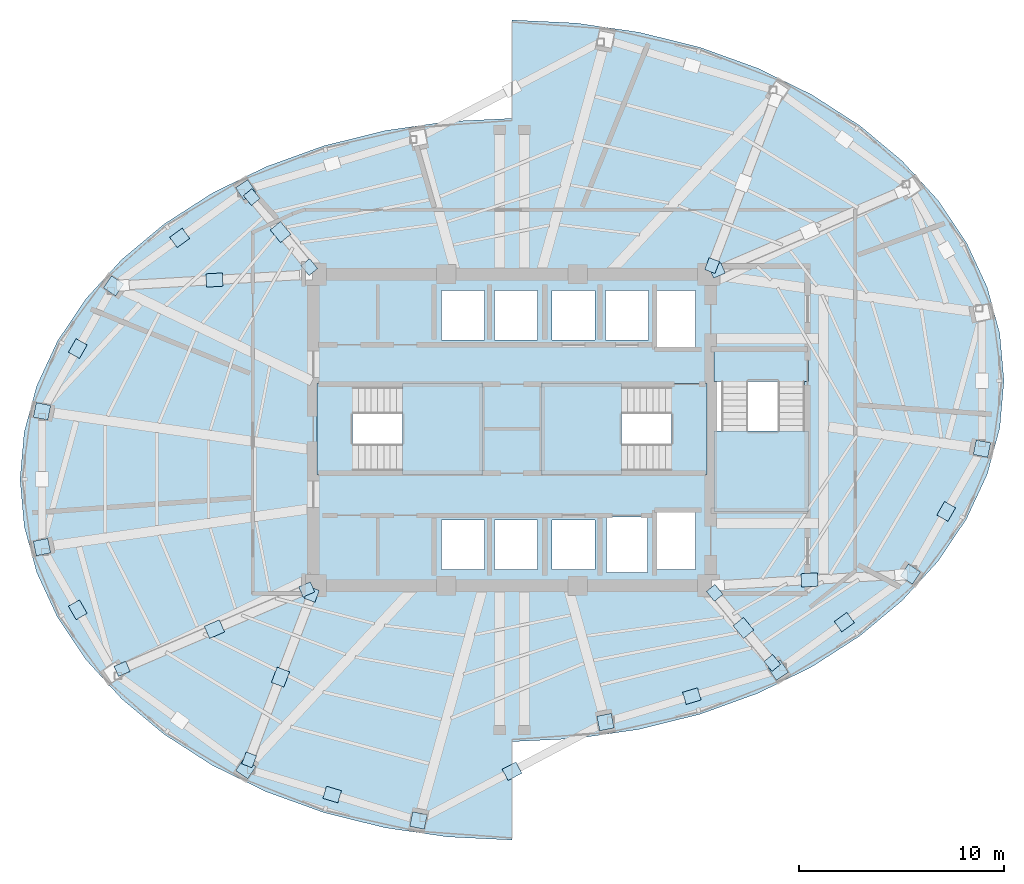
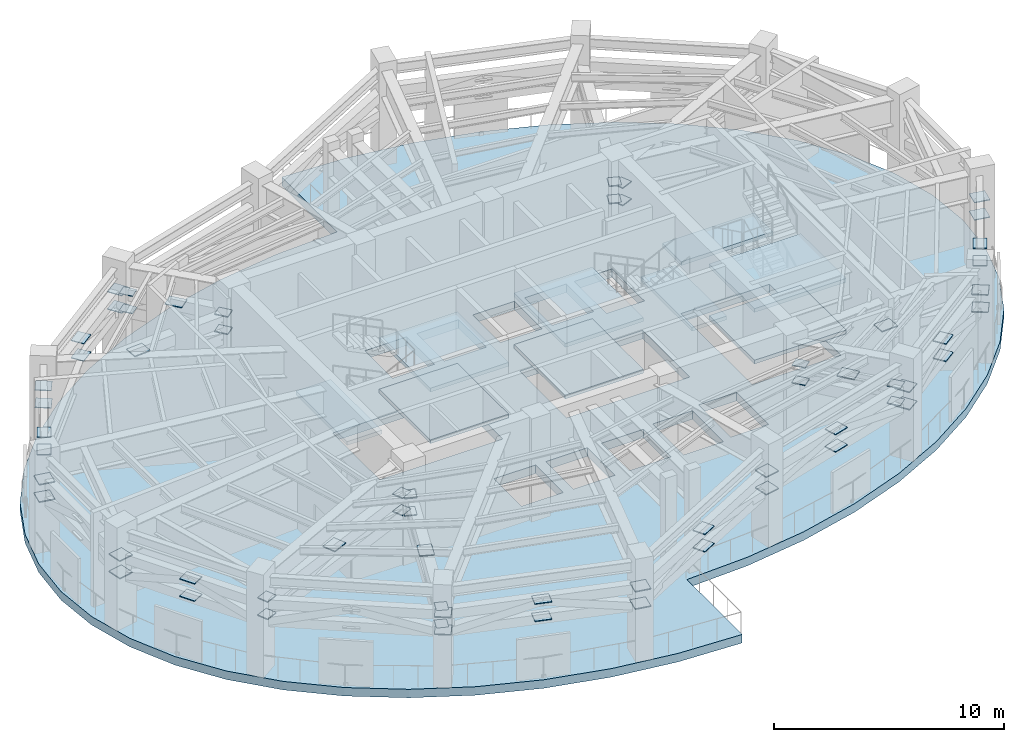
# One storey, part 6 of 12: 62 plates, 10 slabs, 3 elements without a shape of their own.
"""IFC4 building model written with IfcOpenShell, lengths in metres."""

from ifc_helpers import new_model, si_unit, direction, frame, origin, origin_2d, place, context, subcontext, project, spatial, polyline, rectangle, outline, extrude, material, layer, layer_set, type_object, element, aggregate, save


model = new_model("IFC4")

# Units and contexts
model_context = context("Model", 3, precision=1e-05, world=origin(), true_north=direction((0.0, 1.0)))
body_context = subcontext(model_context, "Body", "Model", "MODEL_VIEW")
ifc_project = project(units=[si_unit("LENGTHUNIT", "METRE"), si_unit("AREAUNIT", "SQUARE_METRE"), si_unit("VOLUMEUNIT", "CUBIC_METRE"), si_unit("PLANEANGLEUNIT", "RADIAN"), si_unit("MASSUNIT", "GRAM", prefix="KILO")], contexts=[model_context])

# Site, building, storey
site_placement = place(None, origin())
site = spatial("IfcSite", under=ifc_project, at=site_placement, CompositionType="ELEMENT")
building_placement = place(site_placement, origin())
building = spatial("IfcBuilding", under=site, at=building_placement, Name="Lazwardi Medical Tower", CompositionType="ELEMENT")
storey_placement = place(building_placement, frame((0.0, 0.0, 189.360107421875)))
storey = spatial("IfcBuildingStorey", under=building, at=storey_placement, Name="L49", CompositionType="ELEMENT", Elevation=189.360107421875)

# Plates
ifc_material_1 = material(Name="Steel S460", Category="steel")
ifc_layer_1 = layer(ifc_material_1, 0.0400390625)
ifc_layer_set_1 = layer_set([ifc_layer_1], Name="Steel S460")
plate_type = type_object("IfcPlateType", Name="PLT-GUS-01", PredefinedType="USERDEFINED", material=ifc_layer_set_1)
for number, where, z_axis, x_axis, name in (
    (1, (40.560302734375, 13.751220703125, 2.659912109375), (0.0, 0.0, 1.0), (0.195090322016, -0.980785280403, 0.0), "Belt truss column gusset plate GP-01 MB01 L49"),
    (2, (40.560302734375, 13.751220703125, 3.579833984375), (0.0, 0.0, 1.0), (0.195090322016, -0.980785280403, 0.0), "Belt truss column gusset plate GP-01 MT01 L49"),
):
    element("IfcPlate", number, at=place(storey_placement, frame(where, z_axis=z_axis, x_axis=x_axis)), inside=storey, type_object=plate_type, Name=name, ObjectType="GUSSET_PLATE", PredefinedType="USERDEFINED", context=body_context, shape_type="SweptSolid", body=[
        extrude(rectangle(XDim=0.719970703125, YDim=0.719970703125, at=origin_2d()), origin(), (0.0, 0.0, 1.0), 0.0400390625),
    ])
for number, where, z_axis, x_axis, name in (
    (3, (44.7734375, 15.0185546875, 3.579833984375), (0.0, 0.0, 1.0), (0.957621645958, 0.288029136015, 0.0), "Belt truss gusset plate GP-01 T01 L49"),
    (4, (44.7734375, 15.0185546875, 2.659912109375), (0.0, 0.0, 1.0), (0.957621645958, 0.288029136015, 0.0), "Belt truss gusset plate GP-01 B01 L49"),
):
    element("IfcPlate", number, at=place(storey_placement, frame(where, z_axis=z_axis, x_axis=x_axis)), inside=storey, type_object=plate_type, Name=name, ObjectType="GUSSET_PLATE", PredefinedType="USERDEFINED", context=body_context, shape_type="SweptSolid", body=[
        extrude(rectangle(XDim=0.760009765625, YDim=0.6201171875, at=origin_2d()), origin(), (0.0, 0.0, 1.0), 0.0400390625),
    ])
for number, where, z_axis, x_axis, name in (
    (5, (48.986572265625, 16.285888671875, 2.659912109375), (0.0, 0.0, 1.0), (0.55557023302, -0.831469612303, 0.0), "Belt truss column gusset plate GP-01 MB02 L49"),
    (6, (48.986572265625, 16.285888671875, 3.579833984375), (0.0, 0.0, 1.0), (0.55557023302, -0.831469612303, 0.0), "Belt truss column gusset plate GP-01 MT02 L49"),
):
    element("IfcPlate", number, at=place(storey_placement, frame(where, z_axis=z_axis, x_axis=x_axis)), inside=storey, type_object=plate_type, Name=name, ObjectType="GUSSET_PLATE", PredefinedType="USERDEFINED", context=body_context, shape_type="SweptSolid", body=[
        extrude(rectangle(XDim=0.719970703125, YDim=0.719970703125, at=origin_2d()), origin(), (0.0, 0.0, 1.0), 0.0400390625),
    ])
for number, where, z_axis, x_axis, name in (
    (7, (52.211181640625, 18.62744140625, 3.579833984375), (0.0, 0.0, 1.0), (0.809119569932, 0.587644043238, 0.0), "Belt truss gusset plate GP-01 T02 L49"),
    (8, (52.211181640625, 18.62744140625, 2.659912109375), (0.0, 0.0, 1.0), (0.809119569932, 0.587644043238, 0.0), "Belt truss gusset plate GP-01 B02 L49"),
):
    element("IfcPlate", number, at=place(storey_placement, frame(where, z_axis=z_axis, x_axis=x_axis)), inside=storey, type_object=plate_type, Name=name, ObjectType="GUSSET_PLATE", PredefinedType="USERDEFINED", context=body_context, shape_type="SweptSolid", body=[
        extrude(rectangle(XDim=0.760009765625, YDim=0.6201171875, at=origin_2d()), origin(), (0.0, 0.0, 1.0), 0.0400390625),
    ])
for number, where, z_axis, x_axis, name in (
    (9, (55.435546875, 20.96923828125, 2.659912109375), (0.0, 0.0, 1.0), (0.831469612303, -0.55557023302, 0.0), "Belt truss column gusset plate GP-01 MB03 L49"),
    (10, (55.435546875, 20.96923828125, 3.579833984375), (0.0, 0.0, 1.0), (0.831469612303, -0.55557023302, 0.0), "Belt truss column gusset plate GP-01 MT03 L49"),
):
    element("IfcPlate", number, at=place(storey_placement, frame(where, z_axis=z_axis, x_axis=x_axis)), inside=storey, type_object=plate_type, Name=name, ObjectType="GUSSET_PLATE", PredefinedType="USERDEFINED", context=body_context, shape_type="SweptSolid", body=[
        extrude(rectangle(XDim=0.719970703125, YDim=0.719970703125, at=origin_2d()), origin(), (0.0, 0.0, 1.0), 0.0400390625),
    ])
for number, where, z_axis, x_axis, name in (
    (11, (57.180908203125, 24.02880859375, 3.579833984375), (0.0, 0.0, 1.0), (0.495458668432, 0.868631514438, 0.0), "Belt truss gusset plate GP-01 T03 L49"),
    (12, (57.180908203125, 24.02880859375, 2.659912109375), (0.0, 0.0, 1.0), (0.495458668432, 0.868631514438, 0.0), "Belt truss gusset plate GP-01 B03 L49"),
):
    element("IfcPlate", number, at=place(storey_placement, frame(where, z_axis=z_axis, x_axis=x_axis)), inside=storey, type_object=plate_type, Name=name, ObjectType="GUSSET_PLATE", PredefinedType="USERDEFINED", context=body_context, shape_type="SweptSolid", body=[
        extrude(rectangle(XDim=0.760009765625, YDim=0.6201171875, at=origin_2d()), origin(), (0.0, 0.0, 1.0), 0.0400390625),
    ])
for number, where, z_axis, x_axis, name in (
    (13, (58.92578125, 27.08837890625, 2.659912109375), (0.0, 0.0, 1.0), (0.980785280403, -0.195090322016, 0.0), "Belt truss column gusset plate GP-01 MB04 L49"),
    (14, (58.92578125, 27.08837890625, 3.579833984375), (0.0, 0.0, 1.0), (0.980785280403, -0.195090322016, 0.0), "Belt truss column gusset plate GP-01 MT04 L49"),
    (15, (23.013427734375, 39.714111328125, 2.659912109375), (0.0, 0.0, 1.0), (-0.55557023302, 0.831469612303, 0.0), "Belt truss column gusset plate GP-01 MB10 L49"),
    (16, (23.013427734375, 39.714111328125, 3.579833984375), (0.0, 0.0, 1.0), (-0.55557023302, 0.831469612303, 0.0), "Belt truss column gusset plate GP-01 MT10 L49"),
):
    element("IfcPlate", number, at=place(storey_placement, frame(where, z_axis=z_axis, x_axis=x_axis)), inside=storey, type_object=plate_type, Name=name, ObjectType="GUSSET_PLATE", PredefinedType="USERDEFINED", context=body_context, shape_type="SweptSolid", body=[
        extrude(rectangle(XDim=0.719970703125, YDim=0.719970703125, at=origin_2d()), origin(), (0.0, 0.0, 1.0), 0.0400390625),
    ])
for number, where, z_axis, x_axis, name in (
    (17, (19.788818359375, 37.37255859375, 3.579833984375), (0.0, 0.0, 1.0), (-0.809119569932, -0.587644043238, 0.0), "Belt truss gusset plate GP-01 T10 L49"),
    (18, (19.788818359375, 37.37255859375, 2.659912109375), (0.0, 0.0, 1.0), (-0.809119569932, -0.587644043238, 0.0), "Belt truss gusset plate GP-01 B10 L49"),
):
    element("IfcPlate", number, at=place(storey_placement, frame(where, z_axis=z_axis, x_axis=x_axis)), inside=storey, type_object=plate_type, Name=name, ObjectType="GUSSET_PLATE", PredefinedType="USERDEFINED", context=body_context, shape_type="SweptSolid", body=[
        extrude(rectangle(XDim=0.760009765625, YDim=0.6201171875, at=origin_2d()), origin(), (0.0, 0.0, 1.0), 0.0400390625),
    ])
for number, where, z_axis, x_axis, name in (
    (19, (16.564453125, 35.03076171875, 2.659912109375), (0.0, 0.0, 1.0), (-0.831469612303, 0.55557023302, 0.0), "Belt truss column gusset plate GP-01 MB11 L49"),
    (20, (16.564453125, 35.03076171875, 3.579833984375), (0.0, 0.0, 1.0), (-0.831469612303, 0.55557023302, 0.0), "Belt truss column gusset plate GP-01 MT11 L49"),
):
    element("IfcPlate", number, at=place(storey_placement, frame(where, z_axis=z_axis, x_axis=x_axis)), inside=storey, type_object=plate_type, Name=name, ObjectType="GUSSET_PLATE", PredefinedType="USERDEFINED", context=body_context, shape_type="SweptSolid", body=[
        extrude(rectangle(XDim=0.719970703125, YDim=0.719970703125, at=origin_2d()), origin(), (0.0, 0.0, 1.0), 0.0400390625),
    ])
for number, where, z_axis, x_axis, name in (
    (21, (14.8193359375, 31.97119140625, 3.579833984375), (0.0, 0.0, 1.0), (-0.495458668432, -0.868631514438, 0.0), "Belt truss gusset plate GP-01 T11 L49"),
    (22, (14.8193359375, 31.97119140625, 2.659912109375), (0.0, 0.0, 1.0), (-0.495458668432, -0.868631514438, 0.0), "Belt truss gusset plate GP-01 B11 L49"),
):
    element("IfcPlate", number, at=place(storey_placement, frame(where, z_axis=z_axis, x_axis=x_axis)), inside=storey, type_object=plate_type, Name=name, ObjectType="GUSSET_PLATE", PredefinedType="USERDEFINED", context=body_context, shape_type="SweptSolid", body=[
        extrude(rectangle(XDim=0.760009765625, YDim=0.6201171875, at=origin_2d()), origin(), (0.0, 0.0, 1.0), 0.0400390625),
    ])
for number, where, z_axis, x_axis, name in (
    (23, (13.07421875, 28.91162109375, 2.659912109375), (0.0, 0.0, 1.0), (-0.980785280403, 0.195090322016, 0.0), "Belt truss column gusset plate GP-01 MB12 L49"),
    (24, (13.07421875, 28.91162109375, 3.579833984375), (0.0, 0.0, 1.0), (-0.980785280403, 0.195090322016, 0.0), "Belt truss column gusset plate GP-01 MT12 L49"),
    (25, (13.07421875, 22.288330078125, 2.659912109375), (0.0, 0.0, 1.0), (-0.980785280403, -0.195090322016, 0.0), "Belt truss column gusset plate GP-01 MB13 L49"),
    (26, (13.07421875, 22.288330078125, 3.579833984375), (0.0, 0.0, 1.0), (-0.980785280403, -0.195090322016, 0.0), "Belt truss column gusset plate GP-01 MT13 L49"),
):
    element("IfcPlate", number, at=place(storey_placement, frame(where, z_axis=z_axis, x_axis=x_axis)), inside=storey, type_object=plate_type, Name=name, ObjectType="GUSSET_PLATE", PredefinedType="USERDEFINED", context=body_context, shape_type="SweptSolid", body=[
        extrude(rectangle(XDim=0.719970703125, YDim=0.719970703125, at=origin_2d()), origin(), (0.0, 0.0, 1.0), 0.0400390625),
    ])
for number, where, z_axis, x_axis, name in (
    (27, (14.8193359375, 19.228759765625, 3.579833984375), (0.0, 0.0, 1.0), (0.495458668432, -0.868631514438, 0.0), "Belt truss gusset plate GP-01 T13 L49"),
    (28, (14.8193359375, 19.228759765625, 2.659912109375), (0.0, 0.0, 1.0), (0.495458668432, -0.868631514438, 0.0), "Belt truss gusset plate GP-01 B13 L49"),
):
    element("IfcPlate", number, at=place(storey_placement, frame(where, z_axis=z_axis, x_axis=x_axis)), inside=storey, type_object=plate_type, Name=name, ObjectType="GUSSET_PLATE", PredefinedType="USERDEFINED", context=body_context, shape_type="SweptSolid", body=[
        extrude(rectangle(XDim=0.760009765625, YDim=0.6201171875, at=origin_2d()), origin(), (0.0, 0.0, 1.0), 0.0400390625),
    ])
for number, where, z_axis, x_axis, name in (
    (29, (23.013427734375, 11.48583984375, 2.659912109375), (0.0, 0.0, 1.0), (-0.55557023302, -0.831469612303, 0.0), "Belt truss column gusset plate GP-01 MB15 L49"),
    (30, (23.013427734375, 11.48583984375, 3.579833984375), (0.0, 0.0, 1.0), (-0.55557023302, -0.831469612303, 0.0), "Belt truss column gusset plate GP-01 MT15 L49"),
):
    element("IfcPlate", number, at=place(storey_placement, frame(where, z_axis=z_axis, x_axis=x_axis)), inside=storey, type_object=plate_type, Name=name, ObjectType="GUSSET_PLATE", PredefinedType="USERDEFINED", context=body_context, shape_type="SweptSolid", body=[
        extrude(rectangle(XDim=0.719970703125, YDim=0.719970703125, at=origin_2d()), origin(), (0.0, 0.0, 1.0), 0.0400390625),
    ])
for number, where, z_axis, x_axis, name in (
    (31, (27.2265625, 10.218505859375, 3.579833984375), (0.0, 0.0, 1.0), (0.957621645958, -0.288029136015, 0.0), "Belt truss gusset plate GP-01 T15 L49"),
    (32, (27.2265625, 10.218505859375, 2.659912109375), (0.0, 0.0, 1.0), (0.957621645958, -0.288029136015, 0.0), "Belt truss gusset plate GP-01 B15 L49"),
):
    element("IfcPlate", number, at=place(storey_placement, frame(where, z_axis=z_axis, x_axis=x_axis)), inside=storey, type_object=plate_type, Name=name, ObjectType="GUSSET_PLATE", PredefinedType="USERDEFINED", context=body_context, shape_type="SweptSolid", body=[
        extrude(rectangle(XDim=0.760009765625, YDim=0.6201171875, at=origin_2d()), origin(), (0.0, 0.0, 1.0), 0.0400390625),
    ])
for number, where, z_axis, x_axis, name in (
    (33, (31.439697265625, 8.951171875, 2.659912109375), (0.0, 0.0, 1.0), (-0.195090322016, -0.980785280403, 0.0), "Belt truss column gusset plate GP-01 MB16 L49"),
    (34, (31.439697265625, 8.951171875, 3.579833984375), (0.0, 0.0, 1.0), (-0.195090322016, -0.980785280403, 0.0), "Belt truss column gusset plate GP-01 MT16 L49"),
):
    element("IfcPlate", number, at=place(storey_placement, frame(where, z_axis=z_axis, x_axis=x_axis)), inside=storey, type_object=plate_type, Name=name, ObjectType="GUSSET_PLATE", PredefinedType="USERDEFINED", context=body_context, shape_type="SweptSolid", body=[
        extrude(rectangle(XDim=0.719970703125, YDim=0.719970703125, at=origin_2d()), origin(), (0.0, 0.0, 1.0), 0.0400390625),
    ])
for number, where, z_axis, x_axis, name in (
    (35, (36.0, 11.351318359375, 3.579833984375), (0.0, 0.0, 1.0), (0.88490635892, 0.465768972714, 0.0), "Belt truss gusset plate GP-01 T16 L49"),
    (36, (36.0, 11.351318359375, 2.659912109375), (0.0, 0.0, 1.0), (0.88490635892, 0.465768972714, 0.0), "Belt truss gusset plate GP-01 B16 L49"),
):
    element("IfcPlate", number, at=place(storey_placement, frame(where, z_axis=z_axis, x_axis=x_axis)), inside=storey, type_object=plate_type, Name=name, ObjectType="GUSSET_PLATE", PredefinedType="USERDEFINED", context=body_context, shape_type="SweptSolid", body=[
        extrude(rectangle(XDim=0.760009765625, YDim=0.6201171875, at=origin_2d()), origin(), (0.0, 0.0, 1.0), 0.0400390625),
    ])
plate_1_placement = place(storey_placement, frame((21.484619140625, 18.28564453125, 3.579833984375), z_axis=(0.0, 0.0, 1.0), x_axis=(-0.918584396813, -0.395224880204, 0.0)))
element("IfcPlate", 37, at=plate_1_placement, inside=storey, type_object=plate_type, Name="Outrigger truss gusset plate GP-01 OR1 L49", ObjectType="GUSSET_PLATE", PredefinedType="USERDEFINED", context=body_context, shape_type="SweptSolid", body=[
    extrude(rectangle(XDim=0.800048828125, YDim=0.64990234375, at=origin_2d()), origin(), (0.0, 0.0, 1.0), 0.0400390625),
])
for number, where, z_axis, x_axis, name in (
    (38, (25.986572265625, 20.22216796875, 2.659912109375), (0.0, 0.0, 1.0), (-0.918584396813, -0.395224880204, 0.0), "Outrigger core gusset plate GP-01 OR1CB L49"),
    (39, (25.986572265625, 20.22216796875, 3.579833984375), (0.0, 0.0, 1.0), (-0.918584396813, -0.395224880204, 0.0), "Outrigger core gusset plate GP-01 OR1CT L49"),
    (40, (16.982421875, 16.34912109375, 2.659912109375), (0.0, 0.0, 1.0), (-0.918584396813, -0.395224880204, 0.0), "Outrigger perimeter gusset plate GP-01 OR1MB L49"),
    (41, (16.982421875, 16.34912109375, 3.579833984375), (0.0, 0.0, 1.0), (-0.918584396813, -0.395224880204, 0.0), "Outrigger perimeter gusset plate GP-01 OR1MT L49"),
):
    element("IfcPlate", number, at=place(storey_placement, frame(where, z_axis=z_axis, x_axis=x_axis)), inside=storey, type_object=plate_type, Name=name, ObjectType="GUSSET_PLATE", PredefinedType="USERDEFINED", context=body_context, shape_type="SweptSolid", body=[
        extrude(rectangle(XDim=0.6201171875, YDim=0.5400390625, at=origin_2d()), origin(), (0.0, 0.0, 1.0), 0.0400390625),
    ])
plate_2_placement = place(storey_placement, frame((24.707763671875, 15.9453125, 3.579833984375), z_axis=(0.0, 0.0, 1.0), x_axis=(-0.355106962408, -0.934825676396, 0.0)))
element("IfcPlate", 42, at=plate_2_placement, inside=storey, type_object=plate_type, Name="Outrigger truss gusset plate GP-01 OR2 L49", ObjectType="GUSSET_PLATE", PredefinedType="USERDEFINED", context=body_context, shape_type="SweptSolid", body=[
    extrude(rectangle(XDim=0.800048828125, YDim=0.64990234375, at=origin_2d()), origin(), (0.0, 0.0, 1.0), 0.0400390625),
])
for number, where, z_axis, x_axis, name in (
    (43, (26.240234375, 19.979248046875, 2.659912109375), (0.0, 0.0, 1.0), (-0.355106962408, -0.934825676396, 0.0), "Outrigger core gusset plate GP-01 OR2CB L49"),
    (44, (26.240234375, 19.979248046875, 3.579833984375), (0.0, 0.0, 1.0), (-0.355106962408, -0.934825676396, 0.0), "Outrigger core gusset plate GP-01 OR2CT L49"),
    (45, (23.175048828125, 11.9111328125, 2.659912109375), (0.0, 0.0, 1.0), (-0.355106962408, -0.934825676396, 0.0), "Outrigger perimeter gusset plate GP-01 OR2MB L49"),
    (46, (23.175048828125, 11.9111328125, 3.579833984375), (0.0, 0.0, 1.0), (-0.355106962408, -0.934825676396, 0.0), "Outrigger perimeter gusset plate GP-01 OR2MT L49"),
):
    element("IfcPlate", number, at=place(storey_placement, frame(where, z_axis=z_axis, x_axis=x_axis)), inside=storey, type_object=plate_type, Name=name, ObjectType="GUSSET_PLATE", PredefinedType="USERDEFINED", context=body_context, shape_type="SweptSolid", body=[
        extrude(rectangle(XDim=0.6201171875, YDim=0.5400390625, at=origin_2d()), origin(), (0.0, 0.0, 1.0), 0.0400390625),
    ])
plate_3_placement = place(storey_placement, frame((47.291748046875, 18.344970703125, 3.579833984375), z_axis=(0.0, 0.0, 1.0), x_axis=(0.63553936973, -0.772068461681, 0.0)))
element("IfcPlate", 47, at=plate_3_placement, inside=storey, type_object=plate_type, Name="Outrigger truss gusset plate GP-01 OR3 L49", ObjectType="GUSSET_PLATE", PredefinedType="USERDEFINED", context=body_context, shape_type="SweptSolid", body=[
    extrude(rectangle(XDim=0.800048828125, YDim=0.64990234375, at=origin_2d()), origin(), (0.0, 0.0, 1.0), 0.0400390625),
])
for number, where, z_axis, x_axis, name in (
    (48, (45.885986328125, 20.052490234375, 2.659912109375), (0.0, 0.0, 1.0), (0.63553936973, -0.772068461681, 0.0), "Outrigger core gusset plate GP-01 OR3CB L49"),
    (49, (45.885986328125, 20.052490234375, 3.579833984375), (0.0, 0.0, 1.0), (0.63553936973, -0.772068461681, 0.0), "Outrigger core gusset plate GP-01 OR3CT L49"),
    (50, (48.697265625, 16.63720703125, 2.659912109375), (0.0, 0.0, 1.0), (0.63553936973, -0.772068461681, 0.0), "Outrigger perimeter gusset plate GP-01 OR3MB L49"),
    (51, (48.697265625, 16.63720703125, 3.579833984375), (0.0, 0.0, 1.0), (0.63553936973, -0.772068461681, 0.0), "Outrigger perimeter gusset plate GP-01 OR3MT L49"),
):
    element("IfcPlate", number, at=place(storey_placement, frame(where, z_axis=z_axis, x_axis=x_axis)), inside=storey, type_object=plate_type, Name=name, ObjectType="GUSSET_PLATE", PredefinedType="USERDEFINED", context=body_context, shape_type="SweptSolid", body=[
        extrude(rectangle(XDim=0.6201171875, YDim=0.5400390625, at=origin_2d()), origin(), (0.0, 0.0, 1.0), 0.0400390625),
    ])
plate_4_placement = place(storey_placement, frame((50.515380859375, 20.684326171875, 3.601806640625), z_axis=(0.0, 0.0, 1.0), x_axis=(0.99833175459, 0.0577382696, 0.0)))
element("IfcPlate", 52, at=plate_4_placement, inside=storey, type_object=plate_type, Name="Outrigger truss gusset plate GP-01 OR4 L49", ObjectType="GUSSET_PLATE", PredefinedType="USERDEFINED", context=body_context, shape_type="SweptSolid", body=[
    extrude(rectangle(XDim=0.800048828125, YDim=0.64990234375, at=origin_2d()), origin(), (0.0, 0.0, 1.0), 0.0400390625),
])
for number, where, z_axis, x_axis, name in (
    (53, (46.013427734375, 35.77783203125, 2.659912109375), (0.0, 0.0, 1.0), (0.918584396813, 0.395224880204, 0.0), "Outrigger core gusset plate GP-01 OR5CB L49"),
    (54, (46.013427734375, 35.77783203125, 3.579833984375), (0.0, 0.0, 1.0), (0.918584396813, 0.395224880204, 0.0), "Outrigger core gusset plate GP-01 OR5CT L49"),
    (55, (45.759765625, 36.020751953125, 2.659912109375), (0.0, 0.0, 1.0), (0.355106962408, 0.934825676396, 0.0), "Outrigger core gusset plate GP-01 OR6CB L49"),
    (56, (45.759765625, 36.020751953125, 3.579833984375), (0.0, 0.0, 1.0), (0.355106962408, 0.934825676396, 0.0), "Outrigger core gusset plate GP-01 OR6CT L49"),
):
    element("IfcPlate", number, at=place(storey_placement, frame(where, z_axis=z_axis, x_axis=x_axis)), inside=storey, type_object=plate_type, Name=name, ObjectType="GUSSET_PLATE", PredefinedType="USERDEFINED", context=body_context, shape_type="SweptSolid", body=[
        extrude(rectangle(XDim=0.6201171875, YDim=0.5400390625, at=origin_2d()), origin(), (0.0, 0.0, 1.0), 0.0400390625),
    ])
plate_5_placement = place(storey_placement, frame((24.70849609375, 37.6552734375, 3.579833984375), z_axis=(0.0, 0.0, 1.0), x_axis=(-0.63553936973, 0.772068461681, 0.0)))
element("IfcPlate", 57, at=plate_5_placement, inside=storey, type_object=plate_type, Name="Outrigger truss gusset plate GP-01 OR7 L49", ObjectType="GUSSET_PLATE", PredefinedType="USERDEFINED", context=body_context, shape_type="SweptSolid", body=[
    extrude(rectangle(XDim=0.800048828125, YDim=0.64990234375, at=origin_2d()), origin(), (0.0, 0.0, 1.0), 0.0400390625),
])
for number, where, z_axis, x_axis, name in (
    (58, (26.114013671875, 35.947509765625, 2.659912109375), (0.0, 0.0, 1.0), (-0.63553936973, 0.772068461681, 0.0), "Outrigger core gusset plate GP-01 OR7CB L49"),
    (59, (26.114013671875, 35.947509765625, 3.579833984375), (0.0, 0.0, 1.0), (-0.63553936973, 0.772068461681, 0.0), "Outrigger core gusset plate GP-01 OR7CT L49"),
    (60, (23.302734375, 39.36279296875, 2.659912109375), (0.0, 0.0, 1.0), (-0.63553936973, 0.772068461681, 0.0), "Outrigger perimeter gusset plate GP-01 OR7MB L49"),
    (61, (23.302734375, 39.36279296875, 3.579833984375), (0.0, 0.0, 1.0), (-0.63553936973, 0.772068461681, 0.0), "Outrigger perimeter gusset plate GP-01 OR7MT L49"),
):
    element("IfcPlate", number, at=place(storey_placement, frame(where, z_axis=z_axis, x_axis=x_axis)), inside=storey, type_object=plate_type, Name=name, ObjectType="GUSSET_PLATE", PredefinedType="USERDEFINED", context=body_context, shape_type="SweptSolid", body=[
        extrude(rectangle(XDim=0.6201171875, YDim=0.5400390625, at=origin_2d()), origin(), (0.0, 0.0, 1.0), 0.0400390625),
    ])
plate_6_placement = place(storey_placement, frame((21.484619140625, 35.315673828125, 3.579833984375), z_axis=(0.0, 0.0, 1.0), x_axis=(-0.99833175459, -0.0577382696, 0.0)))
element("IfcPlate", 62, at=plate_6_placement, inside=storey, type_object=plate_type, Name="Outrigger truss gusset plate GP-01 OR8 L49", ObjectType="GUSSET_PLATE", PredefinedType="USERDEFINED", context=body_context, shape_type="SweptSolid", body=[
    extrude(rectangle(XDim=0.800048828125, YDim=0.64990234375, at=origin_2d()), origin(), (0.0, 0.0, 1.0), 0.0400390625),
])

# Stair, slabs
ifc_material_2 = material(Name="Concrete C45/55", Category="concrete")
stair_type = type_object("IfcStairType", Name="STR-REF", PredefinedType="HALF_TURN_STAIR", material=ifc_material_2)
stair_1_placement = place(storey_placement, origin())
stair_1 = element("IfcStair", 63, at=stair_1_placement, inside=storey, type_object=stair_type, Name="L49 Protected Exit Stair ST1", PredefinedType="HALF_TURN_STAIR")
ifc_layer_2 = layer(ifc_material_2, 0.199951171875)
ifc_layer_set_2 = layer_set([ifc_layer_2], Name="Concrete C45/55")
slab_type_1 = type_object("IfcSlabType", Name="SLB-LND-190", PredefinedType="LANDING", material=ifc_layer_set_2)
slab_1_placement = place(storey_placement, frame((0.0, 0.0, 1.16796875)))
slab_1 = element("IfcSlab", 64, at=slab_1_placement, type_object=slab_type_1, Name="ST1 landing 1", PredefinedType="LANDING", context=body_context, shape_type="SweptSolid", body=[
    extrude(outline(polyline([(30.655029296875, 25.840087890625), (34.580078125, 25.840087890625), (34.580078125, 30.280029296875), (30.655029296875, 30.280029296875), (30.655029296875, 25.840087890625)])), origin(), (0.0, 0.0, 1.0), 0.199951171875),
])
slab_2_placement = place(storey_placement, frame((0.0, 0.0, 2.535888671875)))
slab_2 = element("IfcSlab", 65, at=slab_2_placement, type_object=slab_type_1, Name="ST1 landing 2", PredefinedType="LANDING", context=body_context, shape_type="SweptSolid", body=[
    extrude(outline(polyline([(26.47998046875, 25.840087890625), (28.22509765625, 25.840087890625), (28.22509765625, 30.280029296875), (26.47998046875, 30.280029296875), (26.47998046875, 25.840087890625)])), origin(), (0.0, 0.0, 1.0), 0.199951171875),
])
slab_3_placement = place(storey_placement, frame((0.0, 0.0, 3.90380859375)))
slab_3 = element("IfcSlab", 66, at=slab_3_placement, type_object=slab_type_1, Name="ST1 landing 3", PredefinedType="LANDING", context=body_context, shape_type="SweptSolid", body=[
    extrude(outline(polyline([(30.655029296875, 25.840087890625), (34.580078125, 25.840087890625), (34.580078125, 30.280029296875), (30.655029296875, 30.280029296875), (30.655029296875, 25.840087890625)])), origin(), (0.0, 0.0, 1.0), 0.2001953125),
])
aggregate(stair_1, [slab_1, slab_2, slab_3])

stair_2_placement = place(storey_placement, origin())
stair_2 = element("IfcStair", 67, at=stair_2_placement, inside=storey, type_object=stair_type, Name="L49 Protected Exit Stair ST2", PredefinedType="HALF_TURN_STAIR")
slab_4_placement = place(storey_placement, frame((0.0, 0.0, 1.16796875)))
slab_4 = element("IfcSlab", 68, at=slab_4_placement, type_object=slab_type_1, Name="ST2 landing 1", PredefinedType="LANDING", context=body_context, shape_type="SweptSolid", body=[
    extrude(outline(polyline([(41.344970703125, 30.280029296875), (37.419921875, 30.280029296875), (37.419921875, 25.840087890625), (41.344970703125, 25.840087890625), (41.344970703125, 30.280029296875)])), origin(), (0.0, 0.0, 1.0), 0.199951171875),
])
slab_5_placement = place(storey_placement, frame((0.0, 0.0, 2.535888671875)))
slab_5 = element("IfcSlab", 69, at=slab_5_placement, type_object=slab_type_1, Name="ST2 landing 2", PredefinedType="LANDING", context=body_context, shape_type="SweptSolid", body=[
    extrude(outline(polyline([(45.52001953125, 30.280029296875), (43.77490234375, 30.280029296875), (43.77490234375, 25.840087890625), (45.52001953125, 25.840087890625), (45.52001953125, 30.280029296875)])), origin(), (0.0, 0.0, 1.0), 0.199951171875),
])
slab_6_placement = place(storey_placement, frame((0.0, 0.0, 3.90380859375)))
slab_6 = element("IfcSlab", 70, at=slab_6_placement, type_object=slab_type_1, Name="ST2 landing 3", PredefinedType="LANDING", context=body_context, shape_type="SweptSolid", body=[
    extrude(outline(polyline([(41.344970703125, 30.280029296875), (37.419921875, 30.280029296875), (37.419921875, 25.840087890625), (41.344970703125, 25.840087890625), (41.344970703125, 30.280029296875)])), origin(), (0.0, 0.0, 1.0), 0.2001953125),
])
aggregate(stair_2, [slab_4, slab_5, slab_6])

stair_3_placement = place(storey_placement, origin())
stair_3 = element("IfcStair", 71, at=stair_3_placement, inside=storey, type_object=stair_type, Name="L49 Protected Exit Stair ST3", PredefinedType="HALF_TURN_STAIR")
slab_7_placement = place(storey_placement, frame((0.0, 0.0, 1.16796875)))
slab_7 = element("IfcSlab", 72, at=slab_7_placement, type_object=slab_type_1, Name="ST3 landing 1", PredefinedType="LANDING", context=body_context, shape_type="SweptSolid", body=[
    extrude(outline(polyline([(45.860107421875, 27.945068359375), (45.860107421875, 24.02001953125), (50.4599609375, 24.02001953125), (50.4599609375, 27.945068359375), (45.860107421875, 27.945068359375)])), origin(), (0.0, 0.0, 1.0), 0.199951171875),
])
slab_8_placement = place(storey_placement, frame((0.0, 0.0, 2.535888671875)))
slab_8 = element("IfcSlab", 73, at=slab_8_placement, type_object=slab_type_1, Name="ST3 landing 2", PredefinedType="LANDING", context=body_context, shape_type="SweptSolid", body=[
    extrude(outline(polyline([(45.860107421875, 32.02001953125), (45.860107421875, 30.375), (50.4599609375, 30.375), (50.4599609375, 32.02001953125), (45.860107421875, 32.02001953125)])), origin(), (0.0, 0.0, 1.0), 0.199951171875),
])
slab_9_placement = place(storey_placement, frame((0.0, 0.0, 3.90380859375)))
slab_9 = element("IfcSlab", 74, at=slab_9_placement, type_object=slab_type_1, Name="ST3 landing 3", PredefinedType="LANDING", context=body_context, shape_type="SweptSolid", body=[
    extrude(outline(polyline([(45.860107421875, 27.945068359375), (45.860107421875, 24.02001953125), (50.4599609375, 24.02001953125), (50.4599609375, 27.945068359375), (45.860107421875, 27.945068359375)])), origin(), (0.0, 0.0, 1.0), 0.2001953125),
])
aggregate(stair_3, [slab_7, slab_8, slab_9])

# Slab
ifc_material_3 = material(Name="Concrete C60/75", Category="concrete")
ifc_layer_3 = layer(ifc_material_3, 0.449951171875)
ifc_layer_set_3 = layer_set([ifc_layer_3], Name="Concrete C60/75")
slab_type_2 = type_object("IfcSlabType", Name="SLB-TRN-450", PredefinedType="FLOOR", material=ifc_layer_set_3)
slab_10_placement = place(storey_placement, frame((0.0, 0.0, -0.4501953125)))
element("IfcSlab", 75, at=slab_10_placement, inside=storey, type_object=slab_type_2, Name="Structural floor slab SF-02 L49", PredefinedType="FLOOR", context=body_context, shape_type="SweptSolid", body=[
    extrude(outline(polyline([(12.205322265625, 23.302734375), (12.81787109375, 21.044921875), (13.826904296875, 18.86474609375), (15.21533203125, 16.800048828125), (16.95947265625, 14.8857421875), (19.029296875, 13.15478515625), (21.3896484375, 11.636962890625), (24.0, 10.35791015625), (26.815673828125, 9.339599609375), (29.788330078125, 8.599609375), (32.867431640625, 8.150634765625), (36.0, 8.0), (36.0, 12.800048828125), (39.132568359375, 12.95068359375), (42.211669921875, 13.399658203125), (45.184326171875, 14.1396484375), (48.0, 15.157958984375), (50.6103515625, 16.43701171875), (52.970703125, 17.954833984375), (55.04052734375, 19.685791015625), (56.78466796875, 21.60009765625), (58.173095703125, 23.664794921875), (59.18212890625, 25.8447265625), (59.794677734375, 28.102783203125), (60.0, 30.39990234375), (59.794677734375, 32.697265625), (59.18212890625, 34.955078125), (58.173095703125, 37.13525390625), (56.78466796875, 39.199951171875), (55.04052734375, 41.1142578125), (52.970703125, 42.84521484375), (50.6103515625, 44.363037109375), (48.0, 45.64208984375), (45.184326171875, 46.660400390625), (42.211669921875, 47.400390625), (39.132568359375, 47.849365234375), (36.0, 48.0), (36.0, 43.199951171875), (32.867431640625, 43.04931640625), (29.788330078125, 42.600341796875), (26.815673828125, 41.8603515625), (24.0, 40.842041015625), (21.3896484375, 39.56298828125), (19.029296875, 38.045166015625), (16.95947265625, 36.314208984375), (15.21533203125, 34.39990234375), (13.826904296875, 32.335205078125), (12.81787109375, 30.1552734375), (12.205322265625, 27.897216796875), (12.0, 25.60009765625), (12.205322265625, 23.302734375)]), holes=[polyline([(28.22509765625, 26.02001953125), (28.22509765625, 30.10009765625), (34.39990234375, 30.10009765625), (34.39990234375, 26.02001953125), (28.22509765625, 26.02001953125)]), polyline([(37.60009765625, 30.10009765625), (43.77490234375, 30.10009765625), (43.77490234375, 26.02001953125), (37.60009765625, 26.02001953125), (37.60009765625, 30.10009765625)]), polyline([(50.280029296875, 30.375), (50.280029296875, 24.179931640625), (45.840087890625, 24.179931640625), (45.840087890625, 30.375), (50.280029296875, 30.375)]), polyline([(34.64990234375, 32.39990234375), (32.550048828125, 32.39990234375), (32.550048828125, 34.800048828125), (34.64990234375, 34.800048828125), (34.64990234375, 32.39990234375)]), polyline([(35.14990234375, 32.39990234375), (35.14990234375, 34.800048828125), (37.25, 34.800048828125), (37.25, 32.39990234375), (35.14990234375, 32.39990234375)]), polyline([(32.550048828125, 23.60009765625), (34.64990234375, 23.60009765625), (34.64990234375, 21.199951171875), (32.550048828125, 21.199951171875), (32.550048828125, 23.60009765625)]), polyline([(37.25, 23.60009765625), (37.25, 21.199951171875), (35.14990234375, 21.199951171875), (35.14990234375, 23.60009765625), (37.25, 23.60009765625)]), polyline([(40.050048828125, 32.39990234375), (37.949951171875, 32.39990234375), (37.949951171875, 34.800048828125), (40.050048828125, 34.800048828125), (40.050048828125, 32.39990234375)]), polyline([(40.550048828125, 32.39990234375), (40.550048828125, 34.800048828125), (42.64990234375, 34.800048828125), (42.64990234375, 32.39990234375), (40.550048828125, 32.39990234375)]), polyline([(37.949951171875, 23.60009765625), (40.050048828125, 23.60009765625), (40.050048828125, 21.199951171875), (37.949951171875, 21.199951171875), (37.949951171875, 23.60009765625)]), polyline([(44.949951171875, 34.800048828125), (44.949951171875, 32.0), (43.050048828125, 32.0), (43.050048828125, 34.800048828125), (44.949951171875, 34.800048828125)]), polyline([(44.949951171875, 21.199951171875), (43.050048828125, 21.199951171875), (43.050048828125, 24.0), (44.949951171875, 24.0), (44.949951171875, 21.199951171875)]), polyline([(40.60009765625, 21.050048828125), (40.60009765625, 23.75), (42.60009765625, 23.75), (42.60009765625, 21.050048828125), (40.60009765625, 21.050048828125)])]), origin(), (0.0, 0.0, 1.0), 0.4501953125),
])

save(model, "model.ifc")
